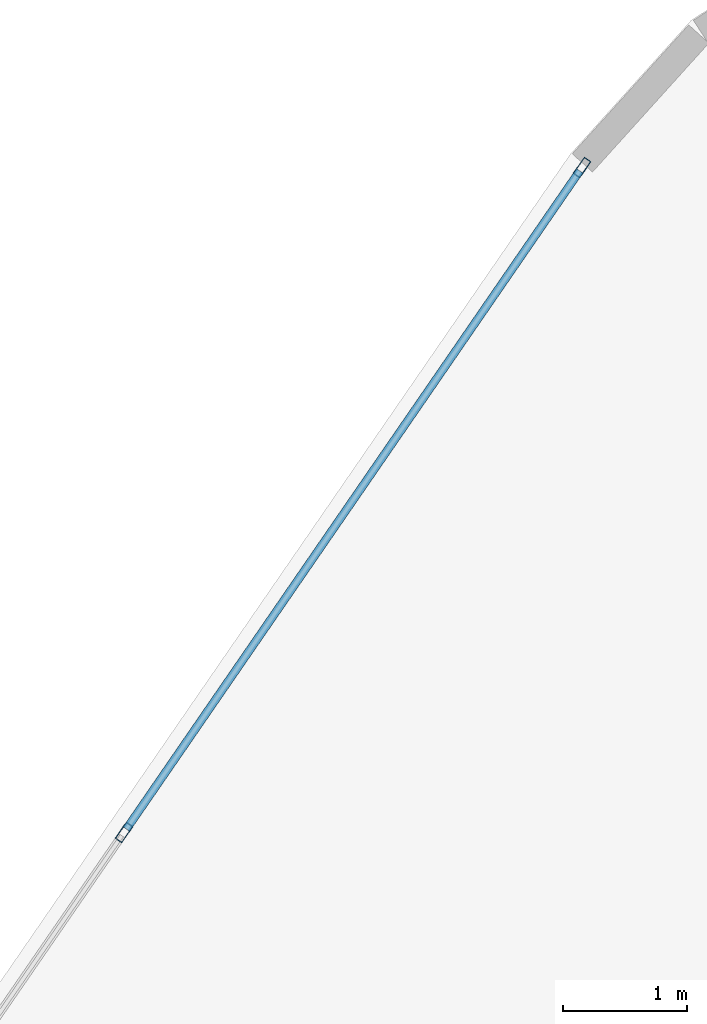
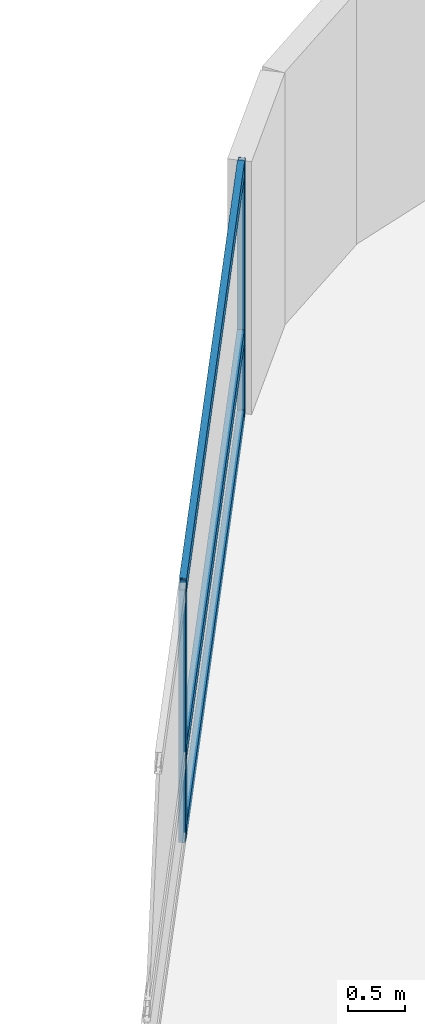
# One storey, part 15 of 25: 5 members, 1 element without a shape of its own.
"""IFC4 building model written with IfcOpenShell, lengths in metres."""

import ifcopenshell
import ifcopenshell.guid

model = None  # the IFC model being written
_history = None  # IfcOwnerHistory: only IFC2X3 demands one
_inside = {}  # id of a spatial element -> (the spatial element, [elements in it])
_under = {}  # id of a project, library or spatial element -> (it, [spatial elements below it])
_declared = {}  # id of a project -> (the project, [libraries it declares])
_typed = {}  # id of a type object -> (the type object, [elements of that type])
_made_of = {}  # id of a material, layer set ... -> (it, [elements and type objects made of it])


def new_model(schema):
    """Start an empty IFC model of exactly this schema.

    Asked for "IFC4X3", IfcOpenShell would pick the latest addendum, in which some entities
    have other attributes; the version numbers below select the first issue.
    IFC2X3 requires an IfcOwnerHistory on every rooted entity: one is made here for all.
    """
    global model, _history
    if schema == "IFC4X3":
        model = ifcopenshell.file(schema_version=(4, 3, 0, 0))
    else:
        model = ifcopenshell.file(schema=schema)
    _inside.clear()
    _under.clear()
    _declared.clear()
    _typed.clear()
    _made_of.clear()
    _history = None
    if model.schema == "IFC2X3":
        org = make("IfcOrganization", Name="unknown")
        user = make(
            "IfcPersonAndOrganization",
            ThePerson=make("IfcPerson", FamilyName="unknown"),
            TheOrganization=org,
        )
        app = make(
            "IfcApplication",
            ApplicationDeveloper=org,
            Version="unknown",
            ApplicationFullName="unknown",
            ApplicationIdentifier="unknown",
        )
        _history = make(
            "IfcOwnerHistory",
            OwningUser=user,
            OwningApplication=app,
            ChangeAction="ADDED",
            CreationDate=0,
        )
    return model


def make(cls, **values):
    """One entity of the class cls with the attributes given. An attribute that is None is left unset."""
    return model.create_entity(
        cls, **{name: value for name, value in values.items() if value is not None}
    )


def rooted(cls, **values):
    """An entity with a GlobalId (a new one), such as an element, a storey or a relation."""
    return make(cls, GlobalId=ifcopenshell.guid.new(), OwnerHistory=_history, **values)


def si_unit(unit_type, name, prefix=None):
    """IfcSIUnit, for example si_unit("LENGTHUNIT", "METRE", prefix="MILLI")."""
    return make("IfcSIUnit", UnitType=unit_type, Prefix=prefix, Name=name)


def assignment(units):
    """IfcUnitAssignment: the units of a project."""
    return None if units is None else make("IfcUnitAssignment", Units=units)


def point(xyz):
    """IfcCartesianPoint."""
    return None if xyz is None else make("IfcCartesianPoint", Coordinates=xyz)


def direction(xyz):
    """IfcDirection."""
    return None if xyz is None else make("IfcDirection", DirectionRatios=xyz)


def frame(location, z_axis=None, x_axis=None):
    """IfcAxis2Placement3D, a coordinate frame: its origin and axes. An axis left out is left unset."""
    return make(
        "IfcAxis2Placement3D",
        Location=point(location),
        Axis=direction(z_axis),
        RefDirection=direction(x_axis),
    )


def frame_2d(location, x_axis=None):
    """IfcAxis2Placement2D, a coordinate frame in the plane: its origin and x axis."""
    return make(
        "IfcAxis2Placement2D", Location=point(location), RefDirection=direction(x_axis)
    )


def origin():
    """The frame at (0, 0, 0) with its axes left unset."""
    return frame((0.0, 0.0, 0.0))


def origin_2d():
    """The frame at (0, 0) in the plane with its x axis left unset."""
    return frame_2d((0.0, 0.0))


def place(relative_to, where):
    """IfcLocalPlacement: puts the frame where relative to a parent placement (None: the world)."""
    return make(
        "IfcLocalPlacement", PlacementRelTo=relative_to, RelativePlacement=where
    )


def context(
    kind, dimensions, precision=None, world=None, true_north=None, identifier=None
):
    """IfcGeometricRepresentationContext, for example the 3D "Model" context."""
    return make(
        "IfcGeometricRepresentationContext",
        ContextIdentifier=identifier,
        ContextType=kind,
        CoordinateSpaceDimension=dimensions,
        Precision=precision,
        WorldCoordinateSystem=world,
        TrueNorth=true_north,
    )


def subcontext(parent, identifier, kind, view, scale=None):
    """IfcGeometricRepresentationSubContext, for example "Body" below "Model"."""
    return make(
        "IfcGeometricRepresentationSubContext",
        ContextIdentifier=identifier,
        ContextType=kind,
        ParentContext=parent,
        TargetScale=scale,
        TargetView=view,
    )


def project(units=None, contexts=None):
    """IfcProject with its units and contexts."""
    return rooted(
        "IfcProject",
        Name="project",
        RepresentationContexts=contexts,
        UnitsInContext=assignment(units),
    )


def spatial(cls, under=None, at=None, **own):
    """A site, building, storey or space (cls), placed at a placement, below another one or the project."""
    s = rooted(cls, ObjectPlacement=at, **own)
    if under is not None:
        _under.setdefault(under.id(), (under, []))[1].append(s)
    return s


def profile(cls, at=None, kind="AREA", **sizes):
    """A parametric profile (cls). Its sizes go by their IFC names, for example OverallWidth=200.0."""
    return make(cls, ProfileType=kind, Position=at, **sizes)


def hollow_rectangle(**sizes):
    """IfcRectangleHollowProfileDef."""
    return profile("IfcRectangleHollowProfileDef", **sizes)


def extrude(swept, where, along, depth):
    """IfcExtrudedAreaSolid: the profile swept, set in the frame where, extruded along a direction by depth."""
    return make(
        "IfcExtrudedAreaSolid",
        SweptArea=swept,
        Position=where,
        ExtrudedDirection=direction(along),
        Depth=depth,
    )


def shape(context_of_items, identifier, shape_type, items):
    """IfcShapeRepresentation: the items that make up one representation, for example the "Body"."""
    return make(
        "IfcShapeRepresentation",
        ContextOfItems=context_of_items,
        RepresentationIdentifier=identifier,
        RepresentationType=shape_type,
        Items=items,
    )


def material(Name=None, Category=None):
    """IfcMaterial."""
    return make("IfcMaterial", Name=Name, Category=Category)


def layer(
    of_material, thickness, ventilated=None, Name=None, Category=None, Priority=None
):
    """IfcMaterialLayer: one layer of a wall or slab, of a material (None: an air gap)."""
    return make(
        "IfcMaterialLayer",
        Material=of_material,
        LayerThickness=thickness,
        IsVentilated=ventilated,
        Name=Name,
        Category=Category,
        Priority=Priority,
    )


def layer_set(layers, Name=None):
    """IfcMaterialLayerSet."""
    return make("IfcMaterialLayerSet", MaterialLayers=layers, LayerSetName=Name)


def material_profile(
    of_material, cross_section, Name=None, Category=None, Priority=None
):
    """IfcMaterialProfile: a cross section and its material."""
    return make(
        "IfcMaterialProfile",
        Name=Name,
        Material=of_material,
        Profile=cross_section,
        Priority=Priority,
        Category=Category,
    )


def profile_set(profiles, Name=None, composite=None):
    """IfcMaterialProfileSet."""
    return make(
        "IfcMaterialProfileSet",
        Name=Name,
        MaterialProfiles=profiles,
        CompositeProfile=composite,
    )


def made_of(thing, what):
    """Note that an element or type object is made of a material, layer set ...; save() writes the relation."""
    if what is not None:
        _made_of.setdefault(what.id(), (what, []))[1].append(thing)
    return thing


def type_object(cls, material=None, **own):
    """A type object (cls), such as IfcWallType, which elements share."""
    return made_of(rooted(cls, **own), material)


def element(
    cls,
    number,
    at=None,
    inside=None,
    cuts=None,
    type_object=None,
    material=None,
    context=None,
    identifier="Body",
    shape_type=None,
    held_by="IfcProductDefinitionShape",
    body=None,
    shapes=None,
    **own,
):
    """One element of the class cls, such as IfcWall. Its Tag is "e" and its number.

    at: its placement. inside: the storey or other place that contains it. cuts: it is an
    opening in that element (IfcRelVoidsElement). A single representation is given by context,
    identifier, shape_type and body (its items); several are given by shapes. held_by: the class
    of the entity that holds the representations. save() writes the other relations.
    """
    e = rooted(cls, Tag="e%d" % number, ObjectPlacement=at, **own)
    if body is not None:
        shapes = [shape(context, identifier, shape_type, body)]
    if shapes is not None:
        e.Representation = make(held_by, Representations=shapes)
    if inside is not None:
        _inside.setdefault(inside.id(), (inside, []))[1].append(e)
    if cuts is not None:
        rooted(
            "IfcRelVoidsElement", RelatingBuildingElement=cuts, RelatedOpeningElement=e
        )
    if type_object is not None:
        _typed.setdefault(type_object.id(), (type_object, []))[1].append(e)
    return made_of(e, material)


def aggregate(whole, parts):
    """IfcRelAggregates: a whole, such as a stair, and the parts it consists of."""
    return rooted("IfcRelAggregates", RelatingObject=whole, RelatedObjects=parts)


def save(model, path):
    """Write the relations noted so far, then the file.

    IfcRelAggregates (storeys below a building ...), IfcRelContainedInSpatialStructure (elements
    in a storey), IfcRelDefinesByType, IfcRelAssociatesMaterial and IfcRelDeclares: one each for
    every whole, place, type object, material and project.
    """
    for whole, parts in _under.values():
        aggregate(whole, parts)
    for where, things in _inside.values():
        rooted(
            "IfcRelContainedInSpatialStructure",
            RelatedElements=things,
            RelatingStructure=where,
        )
    for kind, things in _typed.values():
        rooted("IfcRelDefinesByType", RelatedObjects=things, RelatingType=kind)
    for what, things in _made_of.values():
        rooted("IfcRelAssociatesMaterial", RelatedObjects=things, RelatingMaterial=what)
    for by, libraries in _declared.values():
        rooted("IfcRelDeclares", RelatingContext=by, RelatedDefinitions=libraries)
    model.write(path)


model = new_model("IFC4")

# Units and contexts
model_context = context("Model", 3, precision=1e-05, world=origin(), true_north=direction((0.0, 1.0)))
body_context = subcontext(model_context, "Body", "Model", "MODEL_VIEW")
ifc_project = project(units=[si_unit("LENGTHUNIT", "METRE"), si_unit("AREAUNIT", "SQUARE_METRE"), si_unit("VOLUMEUNIT", "CUBIC_METRE"), si_unit("PLANEANGLEUNIT", "RADIAN"), si_unit("MASSUNIT", "GRAM", prefix="KILO")], contexts=[model_context])

# Site, building, storey
site_placement = place(None, origin())
site = spatial("IfcSite", under=ifc_project, at=site_placement, CompositionType="ELEMENT")
building_placement = place(site_placement, origin())
building = spatial("IfcBuilding", under=site, at=building_placement, Name="Varnelok Gate Tower", CompositionType="ELEMENT")
storey_placement = place(building_placement, frame((0.0, 0.0, 52.89990234375)))
storey = spatial("IfcBuildingStorey", under=building, at=storey_placement, Name="L12", CompositionType="ELEMENT", Elevation=52.89990234375)

# Curtain wall, members
ifc_material = material(Name="Anodized Aluminum Alloy 6063-T6", Category="aluminium")
ifc_layer = layer(ifc_material, 0.179931640625)
ifc_layer_set = layer_set([ifc_layer], Name="Anodized Aluminum Alloy 6063-T6")
curtain_wall_type = type_object("IfcCurtainWallType", Name="CW3-HOTEL-VISION", PredefinedType="USERDEFINED", material=ifc_layer_set)
curtain_wall_placement = place(storey_placement, origin())
curtain_wall = element("IfcCurtainWall", 1, at=curtain_wall_placement, inside=storey, type_object=curtain_wall_type, Name="L12 West End Vision Curtain Wall", ObjectType="UNITISED CURTAIN WALL", PredefinedType="USERDEFINED")
ifc_material_profile_1 = material_profile(ifc_material, hollow_rectangle(XDim=0.06494140625, YDim=0.159912109375, WallThickness=0.00390625, at=origin_2d()), Name="ALU160X65X4")
ifc_profile_set_1 = profile_set([ifc_material_profile_1], Name="Anodized Aluminum Alloy 6063-T6")
member_type_1 = type_object("IfcMemberType", Name="CW-MULL-160", PredefinedType="MULLION", material=ifc_profile_set_1)
member_1_placement = place(storey_placement, frame((14.48291015625, 58.273193359375, 0.0), z_axis=(0.0, 0.0, 1.0), x_axis=(-0.823532685111, 0.567268822124, 0.0)))
member_1 = element("IfcMember", 2, at=member_1_placement, type_object=member_type_1, Name="CW3 mullion 6", PredefinedType="MULLION", context=body_context, shape_type="SweptSolid", body=[
    extrude(hollow_rectangle(XDim=0.06494140625, YDim=0.159912109375, WallThickness=0.00390625, at=origin_2d()), origin(), (0.0, 0.0, 1.0), 2.72998046875),
])
member_2_placement = place(storey_placement, frame((18.189453125, 63.654296875, 0.0), z_axis=(0.0, 0.0, 1.0), x_axis=(-0.823532685111, 0.567268822124, 0.0)))
member_2 = element("IfcMember", 3, at=member_2_placement, type_object=member_type_1, Name="CW3 mullion 7", PredefinedType="MULLION", context=body_context, shape_type="SweptSolid", body=[
    extrude(hollow_rectangle(XDim=0.06494140625, YDim=0.159912109375, WallThickness=0.00390625, at=origin_2d()), origin(), (0.0, 0.0, 1.0), 2.72998046875),
])
ifc_material_profile_2 = material_profile(ifc_material, hollow_rectangle(XDim=0.06494140625, YDim=0.159912109375, WallThickness=0.00390625, at=origin_2d()), Name="ALU160X65X4")
ifc_profile_set_2 = profile_set([ifc_material_profile_2], Name="Anodized Aluminum Alloy 6063-T6")
member_type_2 = type_object("IfcMemberType", Name="CW-TRAN-160", PredefinedType="USERDEFINED", material=ifc_profile_set_2)
member_3_placement = place(storey_placement, frame((14.50146484375, 58.300048828125, 0.03271484375), z_axis=(0.567255754851, 0.823541686006, 0.0), x_axis=(-0.823541686006, 0.567255754851, 0.0)))
member_3 = element("IfcMember", 4, at=member_3_placement, type_object=member_type_2, Name="CW3 transom 6.1", ObjectType="TRANSOM", PredefinedType="USERDEFINED", context=body_context, shape_type="SweptSolid", body=[
    extrude(hollow_rectangle(XDim=0.06494140625, YDim=0.159912109375, WallThickness=0.00390625, at=origin_2d()), origin(), (0.0, 0.0, 1.0), 6.46923828125),
])
member_4_placement = place(storey_placement, frame((14.50146484375, 58.300048828125, 0.900146484375), z_axis=(0.567255754851, 0.823541686006, 0.0), x_axis=(-0.823541686006, 0.567255754851, 0.0)))
member_4 = element("IfcMember", 5, at=member_4_placement, type_object=member_type_2, Name="CW3 transom 6.2", ObjectType="TRANSOM", PredefinedType="USERDEFINED", context=body_context, shape_type="SweptSolid", body=[
    extrude(hollow_rectangle(XDim=0.06494140625, YDim=0.159912109375, WallThickness=0.00390625, at=origin_2d()), origin(), (0.0, 0.0, 1.0), 6.46923828125),
])
member_5_placement = place(storey_placement, frame((14.50146484375, 58.300048828125, 2.697509765625), z_axis=(0.567255754851, 0.823541686006, 0.0), x_axis=(-0.823541686006, 0.567255754851, 0.0)))
member_5 = element("IfcMember", 6, at=member_5_placement, type_object=member_type_2, Name="CW3 transom 6.3", ObjectType="TRANSOM", PredefinedType="USERDEFINED", context=body_context, shape_type="SweptSolid", body=[
    extrude(hollow_rectangle(XDim=0.06494140625, YDim=0.159912109375, WallThickness=0.00390625, at=origin_2d()), origin(), (0.0, 0.0, 1.0), 6.46923828125),
])
aggregate(curtain_wall, [member_1, member_2, member_3, member_4, member_5])

save(model, "model.ifc")
